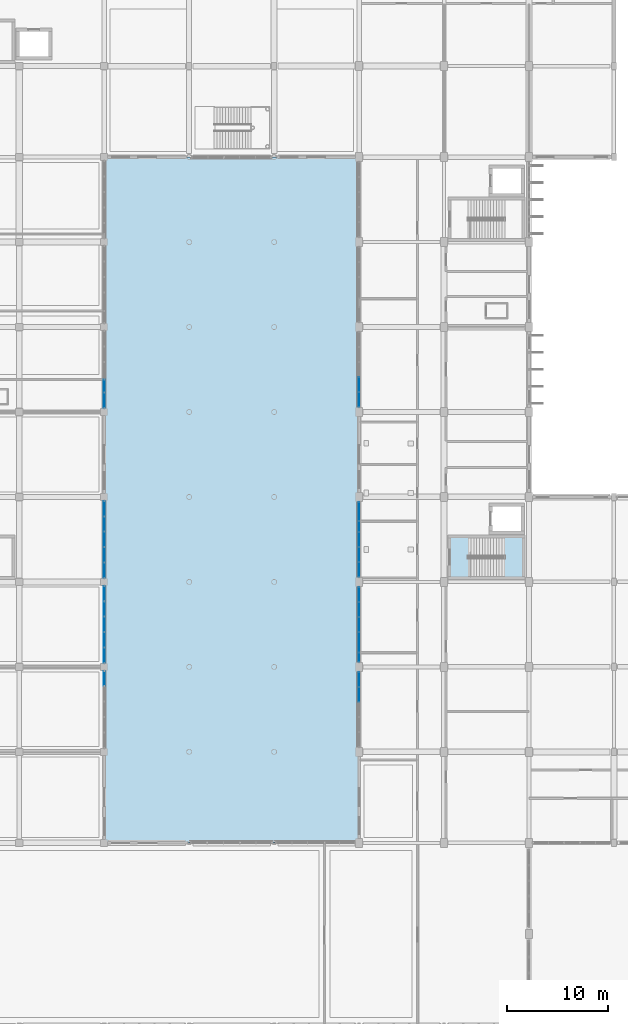
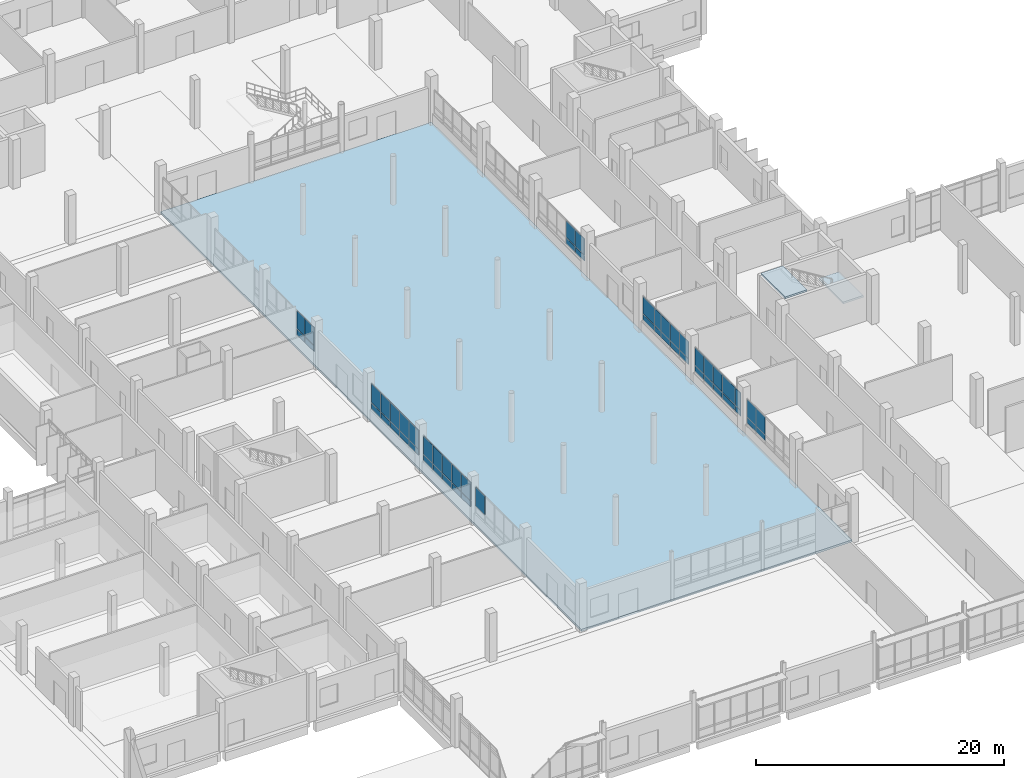
# One storey, part 66 of 95: 53 plates, 3 slabs, 9 elements without a shape of their own.
"""IFC4 building model written with IfcOpenShell, lengths in metres."""

import ifcopenshell
import ifcopenshell.guid

model = None  # the IFC model being written
_history = None  # IfcOwnerHistory: only IFC2X3 demands one
_inside = {}  # id of a spatial element -> (the spatial element, [elements in it])
_under = {}  # id of a project, library or spatial element -> (it, [spatial elements below it])
_declared = {}  # id of a project -> (the project, [libraries it declares])
_typed = {}  # id of a type object -> (the type object, [elements of that type])
_made_of = {}  # id of a material, layer set ... -> (it, [elements and type objects made of it])


def new_model(schema):
    """Start an empty IFC model of exactly this schema.

    Asked for "IFC4X3", IfcOpenShell would pick the latest addendum, in which some entities
    have other attributes; the version numbers below select the first issue.
    IFC2X3 requires an IfcOwnerHistory on every rooted entity: one is made here for all.
    """
    global model, _history
    if schema == "IFC4X3":
        model = ifcopenshell.file(schema_version=(4, 3, 0, 0))
    else:
        model = ifcopenshell.file(schema=schema)
    _inside.clear()
    _under.clear()
    _declared.clear()
    _typed.clear()
    _made_of.clear()
    _history = None
    if model.schema == "IFC2X3":
        org = make("IfcOrganization", Name="unknown")
        user = make(
            "IfcPersonAndOrganization",
            ThePerson=make("IfcPerson", FamilyName="unknown"),
            TheOrganization=org,
        )
        app = make(
            "IfcApplication",
            ApplicationDeveloper=org,
            Version="unknown",
            ApplicationFullName="unknown",
            ApplicationIdentifier="unknown",
        )
        _history = make(
            "IfcOwnerHistory",
            OwningUser=user,
            OwningApplication=app,
            ChangeAction="ADDED",
            CreationDate=0,
        )
    return model


def make(cls, **values):
    """One entity of the class cls with the attributes given. An attribute that is None is left unset."""
    return model.create_entity(
        cls, **{name: value for name, value in values.items() if value is not None}
    )


def rooted(cls, **values):
    """An entity with a GlobalId (a new one), such as an element, a storey or a relation."""
    return make(cls, GlobalId=ifcopenshell.guid.new(), OwnerHistory=_history, **values)


def si_unit(unit_type, name, prefix=None):
    """IfcSIUnit, for example si_unit("LENGTHUNIT", "METRE", prefix="MILLI")."""
    return make("IfcSIUnit", UnitType=unit_type, Prefix=prefix, Name=name)


def assignment(units):
    """IfcUnitAssignment: the units of a project."""
    return None if units is None else make("IfcUnitAssignment", Units=units)


def point(xyz):
    """IfcCartesianPoint."""
    return None if xyz is None else make("IfcCartesianPoint", Coordinates=xyz)


def direction(xyz):
    """IfcDirection."""
    return None if xyz is None else make("IfcDirection", DirectionRatios=xyz)


def frame(location, z_axis=None, x_axis=None):
    """IfcAxis2Placement3D, a coordinate frame: its origin and axes. An axis left out is left unset."""
    return make(
        "IfcAxis2Placement3D",
        Location=point(location),
        Axis=direction(z_axis),
        RefDirection=direction(x_axis),
    )


def frame_2d(location, x_axis=None):
    """IfcAxis2Placement2D, a coordinate frame in the plane: its origin and x axis."""
    return make(
        "IfcAxis2Placement2D", Location=point(location), RefDirection=direction(x_axis)
    )


def origin():
    """The frame at (0, 0, 0) with its axes left unset."""
    return frame((0.0, 0.0, 0.0))


def origin_2d():
    """The frame at (0, 0) in the plane with its x axis left unset."""
    return frame_2d((0.0, 0.0))


def place(relative_to, where):
    """IfcLocalPlacement: puts the frame where relative to a parent placement (None: the world)."""
    return make(
        "IfcLocalPlacement", PlacementRelTo=relative_to, RelativePlacement=where
    )


def context(
    kind, dimensions, precision=None, world=None, true_north=None, identifier=None
):
    """IfcGeometricRepresentationContext, for example the 3D "Model" context."""
    return make(
        "IfcGeometricRepresentationContext",
        ContextIdentifier=identifier,
        ContextType=kind,
        CoordinateSpaceDimension=dimensions,
        Precision=precision,
        WorldCoordinateSystem=world,
        TrueNorth=true_north,
    )


def subcontext(parent, identifier, kind, view, scale=None):
    """IfcGeometricRepresentationSubContext, for example "Body" below "Model"."""
    return make(
        "IfcGeometricRepresentationSubContext",
        ContextIdentifier=identifier,
        ContextType=kind,
        ParentContext=parent,
        TargetScale=scale,
        TargetView=view,
    )


def project(units=None, contexts=None):
    """IfcProject with its units and contexts."""
    return rooted(
        "IfcProject",
        Name="project",
        RepresentationContexts=contexts,
        UnitsInContext=assignment(units),
    )


def spatial(cls, under=None, at=None, **own):
    """A site, building, storey or space (cls), placed at a placement, below another one or the project."""
    s = rooted(cls, ObjectPlacement=at, **own)
    if under is not None:
        _under.setdefault(under.id(), (under, []))[1].append(s)
    return s


def polyline(points):
    """IfcPolyline through the points."""
    return make("IfcPolyline", Points=[point(p) for p in points])


def profile(cls, at=None, kind="AREA", **sizes):
    """A parametric profile (cls). Its sizes go by their IFC names, for example OverallWidth=200.0."""
    return make(cls, ProfileType=kind, Position=at, **sizes)


def rectangle(**sizes):
    """IfcRectangleProfileDef."""
    return profile("IfcRectangleProfileDef", **sizes)


def outline(outer, holes=None, kind="AREA"):
    """IfcArbitraryClosedProfileDef: a profile drawn as a closed curve; with holes, ...WithVoids."""
    if holes is None:
        return make("IfcArbitraryClosedProfileDef", ProfileType=kind, OuterCurve=outer)
    return make(
        "IfcArbitraryProfileDefWithVoids",
        ProfileType=kind,
        OuterCurve=outer,
        InnerCurves=holes,
    )


def extrude(swept, where, along, depth):
    """IfcExtrudedAreaSolid: the profile swept, set in the frame where, extruded along a direction by depth."""
    return make(
        "IfcExtrudedAreaSolid",
        SweptArea=swept,
        Position=where,
        ExtrudedDirection=direction(along),
        Depth=depth,
    )


def shape(context_of_items, identifier, shape_type, items):
    """IfcShapeRepresentation: the items that make up one representation, for example the "Body"."""
    return make(
        "IfcShapeRepresentation",
        ContextOfItems=context_of_items,
        RepresentationIdentifier=identifier,
        RepresentationType=shape_type,
        Items=items,
    )


def material(Name=None, Category=None):
    """IfcMaterial."""
    return make("IfcMaterial", Name=Name, Category=Category)


def layer(
    of_material, thickness, ventilated=None, Name=None, Category=None, Priority=None
):
    """IfcMaterialLayer: one layer of a wall or slab, of a material (None: an air gap)."""
    return make(
        "IfcMaterialLayer",
        Material=of_material,
        LayerThickness=thickness,
        IsVentilated=ventilated,
        Name=Name,
        Category=Category,
        Priority=Priority,
    )


def layer_set(layers, Name=None):
    """IfcMaterialLayerSet."""
    return make("IfcMaterialLayerSet", MaterialLayers=layers, LayerSetName=Name)


def made_of(thing, what):
    """Note that an element or type object is made of a material, layer set ...; save() writes the relation."""
    if what is not None:
        _made_of.setdefault(what.id(), (what, []))[1].append(thing)
    return thing


def type_object(cls, material=None, **own):
    """A type object (cls), such as IfcWallType, which elements share."""
    return made_of(rooted(cls, **own), material)


def element(
    cls,
    number,
    at=None,
    inside=None,
    cuts=None,
    type_object=None,
    material=None,
    context=None,
    identifier="Body",
    shape_type=None,
    held_by="IfcProductDefinitionShape",
    body=None,
    shapes=None,
    **own,
):
    """One element of the class cls, such as IfcWall. Its Tag is "e" and its number.

    at: its placement. inside: the storey or other place that contains it. cuts: it is an
    opening in that element (IfcRelVoidsElement). A single representation is given by context,
    identifier, shape_type and body (its items); several are given by shapes. held_by: the class
    of the entity that holds the representations. save() writes the other relations.
    """
    e = rooted(cls, Tag="e%d" % number, ObjectPlacement=at, **own)
    if body is not None:
        shapes = [shape(context, identifier, shape_type, body)]
    if shapes is not None:
        e.Representation = make(held_by, Representations=shapes)
    if inside is not None:
        _inside.setdefault(inside.id(), (inside, []))[1].append(e)
    if cuts is not None:
        rooted(
            "IfcRelVoidsElement", RelatingBuildingElement=cuts, RelatedOpeningElement=e
        )
    if type_object is not None:
        _typed.setdefault(type_object.id(), (type_object, []))[1].append(e)
    return made_of(e, material)


def aggregate(whole, parts):
    """IfcRelAggregates: a whole, such as a stair, and the parts it consists of."""
    return rooted("IfcRelAggregates", RelatingObject=whole, RelatedObjects=parts)


def save(model, path):
    """Write the relations noted so far, then the file.

    IfcRelAggregates (storeys below a building ...), IfcRelContainedInSpatialStructure (elements
    in a storey), IfcRelDefinesByType, IfcRelAssociatesMaterial and IfcRelDeclares: one each for
    every whole, place, type object, material and project.
    """
    for whole, parts in _under.values():
        aggregate(whole, parts)
    for where, things in _inside.values():
        rooted(
            "IfcRelContainedInSpatialStructure",
            RelatedElements=things,
            RelatingStructure=where,
        )
    for kind, things in _typed.values():
        rooted("IfcRelDefinesByType", RelatedObjects=things, RelatingType=kind)
    for what, things in _made_of.values():
        rooted("IfcRelAssociatesMaterial", RelatedObjects=things, RelatingMaterial=what)
    for by, libraries in _declared.values():
        rooted("IfcRelDeclares", RelatingContext=by, RelatedDefinitions=libraries)
    model.write(path)


model = new_model("IFC4")

# Units and contexts
model_context = context("Model", 3, precision=1e-05, world=origin(), true_north=direction((0.0, 1.0)))
body_context = subcontext(model_context, "Body", "Model", "MODEL_VIEW")
ifc_project = project(units=[si_unit("LENGTHUNIT", "METRE"), si_unit("AREAUNIT", "SQUARE_METRE"), si_unit("VOLUMEUNIT", "CUBIC_METRE"), si_unit("PLANEANGLEUNIT", "RADIAN"), si_unit("MASSUNIT", "GRAM", prefix="KILO")], contexts=[model_context])

# Site, building, storey
site_placement = place(None, origin())
site = spatial("IfcSite", under=ifc_project, at=site_placement, CompositionType="ELEMENT")
building_placement = place(site_placement, origin())
building = spatial("IfcBuilding", under=site, at=building_placement, Name="Vireocrest Preparatory School", CompositionType="ELEMENT")
storey_placement = place(building_placement, origin())
storey = spatial("IfcBuildingStorey", under=building, at=storey_placement, Name="L00", CompositionType="ELEMENT", Elevation=0.0)

# Slab
ifc_material_1 = material(Name="Concrete 40 MPa", Category="concrete")
ifc_layer_1 = layer(ifc_material_1, 0.199951171875)
ifc_layer_set_1 = layer_set([ifc_layer_1], Name="Concrete 40 MPa")
slab_type_1 = type_object("IfcSlabType", Name="Outdoor Courtyard Permeable Concrete Paving Slab 200", PredefinedType="BASESLAB", material=ifc_layer_set_1)
slab_1_placement = place(storey_placement, frame((0.0, 0.0, -0.199951171875)))
element("IfcSlab", 1, at=slab_1_placement, inside=storey, type_object=slab_type_1, Name="Slab L00_CENTRAL_COURT", PredefinedType="BASESLAB", context=body_context, shape_type="SweptSolid", body=[
    extrude(outline(polyline([(67.199951171875, 18.0), (92.39990234375, 18.0), (92.39990234375, 85.800048828125), (67.199951171875, 85.800048828125), (67.199951171875, 18.0)])), origin(), (0.0, 0.0, 1.0), 0.199951171875),
])

# Stair, slabs
stair_type = type_object("IfcStairType", Name="Feature Commons Stair 4800 Rise 1800 Wide", PredefinedType="HALF_TURN_STAIR", material=ifc_material_1)
stair_placement = place(storey_placement, origin())
stair = element("IfcStair", 2, at=stair_placement, inside=storey, type_object=stair_type, Name="Two-Run Stair ST2-L00", PredefinedType="HALF_TURN_STAIR")
ifc_layer_2 = layer(ifc_material_1, 0.179931640625)
ifc_layer_set_2 = layer_set([ifc_layer_2], Name="Concrete 40 MPa")
slab_type_2 = type_object("IfcSlabType", Name="Precast Concrete Stair Landing Slab 180", PredefinedType="LANDING", material=ifc_layer_set_2)
slab_2_placement = place(storey_placement, frame((0.0, 0.0, 2.219970703125)))
slab_2 = element("IfcSlab", 3, at=slab_2_placement, type_object=slab_type_2, Name="Stair Half-Landing ST2-L00", PredefinedType="LANDING", context=body_context, shape_type="SweptSolid", body=[
    extrude(outline(polyline([(106.760009765625, 44.31005859375), (108.64501953125, 44.31005859375), (108.64501953125, 48.18994140625), (106.760009765625, 48.18994140625), (106.760009765625, 44.31005859375)])), origin(), (0.0, 0.0, 1.0), 0.179931640625),
])
slab_3_placement = place(storey_placement, frame((0.0, 0.0, 4.6201171875)))
slab_3 = element("IfcSlab", 4, at=slab_3_placement, type_object=slab_type_2, Name="Stair Arrival Landing ST2-L00", PredefinedType="LANDING", context=body_context, shape_type="SweptSolid", body=[
    extrude(outline(polyline([(101.35498046875, 44.31005859375), (103.409912109375, 44.31005859375), (103.409912109375, 48.18994140625), (101.35498046875, 48.18994140625), (101.35498046875, 44.31005859375)])), origin(), (0.0, 0.0, 1.0), 0.179931640625),
])
aggregate(stair, [slab_2, slab_3])

# Curtain wall, plate
ifc_material_2 = material(Name="Thermally broken aluminium EN AW-6063-T6", Category="aluminium")
ifc_layer_3 = layer(ifc_material_2, 0.179931640625)
ifc_layer_set_3 = layer_set([ifc_layer_3], Name="Thermally broken aluminium EN AW-6063-T6")
curtain_wall_type = type_object("IfcCurtainWallType", Name="Court Banded Curtain Wall 8400x3600", PredefinedType="USERDEFINED", material=ifc_layer_set_3)
curtain_wall_1_placement = place(storey_placement, origin())
curtain_wall_1 = element("IfcCurtainWall", 5, at=curtain_wall_1_placement, inside=storey, type_object=curtain_wall_type, Name="Curtain Wall CW01 CW_L00_CW01_0672_0273_012", ObjectType="CURTAIN WALL", PredefinedType="USERDEFINED")
ifc_material_3 = material(Name="Insulated triple low-e tempered safety glass", Category="glass")
ifc_layer_4 = layer(ifc_material_3, 0.06005859375)
ifc_layer_set_4 = layer_set([ifc_layer_4], Name="Insulated triple low-e tempered safety glass")
plate_type = type_object("IfcPlateType", Name="Triple-Glazed Vision Curtain Panel 60", PredefinedType="CURTAIN_PANEL", material=ifc_layer_set_4)
plate_1_placement = place(storey_placement, frame((67.199951171875, 34.251953125, 1.88232421875), z_axis=(0.0, 0.0, 1.0), x_axis=(0.0, 1.0, 0.0)))
plate_1 = element("IfcPlate", 6, at=plate_1_placement, type_object=plate_type, Name="CW Panel GL1 CW_L00_CW01_0672_0273_012-5-2", PredefinedType="CURTAIN_PANEL", context=body_context, shape_type="SweptSolid", body=[
    extrude(rectangle(XDim=1.4609375, YDim=0.06005859375, at=origin_2d()), origin(), (0.0, 0.0, 1.0), 1.820068359375),
])
aggregate(curtain_wall_1, [plate_1])

# Curtain wall, plates
curtain_wall_2_placement = place(storey_placement, origin())
curtain_wall_2 = element("IfcCurtainWall", 7, at=curtain_wall_2_placement, inside=storey, type_object=curtain_wall_type, Name="Curtain Wall CW01 CW_L00_CW01_0672_0357_012", ObjectType="CURTAIN WALL", PredefinedType="USERDEFINED")
plate_2_placement = place(storey_placement, frame((67.199951171875, 36.548095703125, 1.277587890625), z_axis=(0.0, 0.0, 1.0), x_axis=(0.0, 1.0, 0.0)))
plate_2 = element("IfcPlate", 8, at=plate_2_placement, type_object=plate_type, Name="CW Panel GL1 CW_L00_CW01_0672_0357_012-1-1", PredefinedType="CURTAIN_PANEL", context=body_context, shape_type="SweptSolid", body=[
    extrude(rectangle(XDim=1.4609375, YDim=0.06005859375, at=origin_2d()), origin(), (0.0, 0.0, 1.0), 0.5400390625),
])
plate_3_placement = place(storey_placement, frame((67.199951171875, 36.548095703125, 1.882568359375), z_axis=(0.0, 0.0, 1.0), x_axis=(0.0, 1.0, 0.0)))
plate_3 = element("IfcPlate", 9, at=plate_3_placement, type_object=plate_type, Name="CW Panel GL1 CW_L00_CW01_0672_0357_012-1-2", PredefinedType="CURTAIN_PANEL", context=body_context, shape_type="SweptSolid", body=[
    extrude(rectangle(XDim=1.4609375, YDim=0.06005859375, at=origin_2d()), origin(), (0.0, 0.0, 1.0), 1.77001953125),
])
plate_4_placement = place(storey_placement, frame((67.199951171875, 38.073974609375, 1.277587890625), z_axis=(0.0, 0.0, 1.0), x_axis=(0.0, 1.0, 0.0)))
plate_4 = element("IfcPlate", 10, at=plate_4_placement, type_object=plate_type, Name="CW Panel GL1 CW_L00_CW01_0672_0357_012-2-1", PredefinedType="CURTAIN_PANEL", context=body_context, shape_type="SweptSolid", body=[
    extrude(rectangle(XDim=1.4609375, YDim=0.06005859375, at=origin_2d()), origin(), (0.0, 0.0, 1.0), 0.5400390625),
])
plate_5_placement = place(storey_placement, frame((67.199951171875, 38.073974609375, 1.882568359375), z_axis=(0.0, 0.0, 1.0), x_axis=(0.0, 1.0, 0.0)))
plate_5 = element("IfcPlate", 11, at=plate_5_placement, type_object=plate_type, Name="CW Panel GL1 CW_L00_CW01_0672_0357_012-2-2", PredefinedType="CURTAIN_PANEL", context=body_context, shape_type="SweptSolid", body=[
    extrude(rectangle(XDim=1.4609375, YDim=0.06005859375, at=origin_2d()), origin(), (0.0, 0.0, 1.0), 1.77001953125),
])
plate_6_placement = place(storey_placement, frame((67.199951171875, 39.60009765625, 1.277587890625), z_axis=(0.0, 0.0, 1.0), x_axis=(0.0, 1.0, 0.0)))
plate_6 = element("IfcPlate", 12, at=plate_6_placement, type_object=plate_type, Name="CW Panel GL1 CW_L00_CW01_0672_0357_012-3-1", PredefinedType="CURTAIN_PANEL", context=body_context, shape_type="SweptSolid", body=[
    extrude(rectangle(XDim=1.4609375, YDim=0.06005859375, at=origin_2d()), origin(), (0.0, 0.0, 1.0), 0.5400390625),
])
plate_7_placement = place(storey_placement, frame((67.199951171875, 39.60009765625, 1.882568359375), z_axis=(0.0, 0.0, 1.0), x_axis=(0.0, 1.0, 0.0)))
plate_7 = element("IfcPlate", 13, at=plate_7_placement, type_object=plate_type, Name="CW Panel GL1 CW_L00_CW01_0672_0357_012-3-2", PredefinedType="CURTAIN_PANEL", context=body_context, shape_type="SweptSolid", body=[
    extrude(rectangle(XDim=1.4609375, YDim=0.06005859375, at=origin_2d()), origin(), (0.0, 0.0, 1.0), 1.77001953125),
])
plate_8_placement = place(storey_placement, frame((67.199951171875, 41.1259765625, 1.277587890625), z_axis=(0.0, 0.0, 1.0), x_axis=(0.0, 1.0, 0.0)))
plate_8 = element("IfcPlate", 14, at=plate_8_placement, type_object=plate_type, Name="CW Panel GL1 CW_L00_CW01_0672_0357_012-4-1", PredefinedType="CURTAIN_PANEL", context=body_context, shape_type="SweptSolid", body=[
    extrude(rectangle(XDim=1.4609375, YDim=0.06005859375, at=origin_2d()), origin(), (0.0, 0.0, 1.0), 0.5400390625),
])
plate_9_placement = place(storey_placement, frame((67.199951171875, 41.1259765625, 1.882568359375), z_axis=(0.0, 0.0, 1.0), x_axis=(0.0, 1.0, 0.0)))
plate_9 = element("IfcPlate", 15, at=plate_9_placement, type_object=plate_type, Name="CW Panel GL1 CW_L00_CW01_0672_0357_012-4-2", PredefinedType="CURTAIN_PANEL", context=body_context, shape_type="SweptSolid", body=[
    extrude(rectangle(XDim=1.4609375, YDim=0.06005859375, at=origin_2d()), origin(), (0.0, 0.0, 1.0), 1.77001953125),
])
plate_10_placement = place(storey_placement, frame((67.199951171875, 42.652099609375, 1.277587890625), z_axis=(0.0, 0.0, 1.0), x_axis=(0.0, 1.0, 0.0)))
plate_10 = element("IfcPlate", 16, at=plate_10_placement, type_object=plate_type, Name="CW Panel GL1 CW_L00_CW01_0672_0357_012-5-1", PredefinedType="CURTAIN_PANEL", context=body_context, shape_type="SweptSolid", body=[
    extrude(rectangle(XDim=1.4609375, YDim=0.06005859375, at=origin_2d()), origin(), (0.0, 0.0, 1.0), 0.5400390625),
])
plate_11_placement = place(storey_placement, frame((67.199951171875, 42.652099609375, 1.882568359375), z_axis=(0.0, 0.0, 1.0), x_axis=(0.0, 1.0, 0.0)))
plate_11 = element("IfcPlate", 17, at=plate_11_placement, type_object=plate_type, Name="CW Panel GL1 CW_L00_CW01_0672_0357_012-5-2", PredefinedType="CURTAIN_PANEL", context=body_context, shape_type="SweptSolid", body=[
    extrude(rectangle(XDim=1.4609375, YDim=0.06005859375, at=origin_2d()), origin(), (0.0, 0.0, 1.0), 1.77001953125),
])
aggregate(curtain_wall_2, [plate_2, plate_3, plate_4, plate_5, plate_6, plate_7, plate_8, plate_9, plate_10, plate_11])

curtain_wall_3_placement = place(storey_placement, origin())
curtain_wall_3 = element("IfcCurtainWall", 18, at=curtain_wall_3_placement, inside=storey, type_object=curtain_wall_type, Name="Curtain Wall CW01 CW_L00_CW01_0672_0441_012", ObjectType="CURTAIN WALL", PredefinedType="USERDEFINED")
plate_12_placement = place(storey_placement, frame((67.199951171875, 44.947998046875, 1.277587890625), z_axis=(0.0, 0.0, 1.0), x_axis=(0.0, 1.0, 0.0)))
plate_12 = element("IfcPlate", 19, at=plate_12_placement, type_object=plate_type, Name="CW Panel GL1 CW_L00_CW01_0672_0441_012-1-1", PredefinedType="CURTAIN_PANEL", context=body_context, shape_type="SweptSolid", body=[
    extrude(rectangle(XDim=1.4609375, YDim=0.06005859375, at=origin_2d()), origin(), (0.0, 0.0, 1.0), 0.5400390625),
])
plate_13_placement = place(storey_placement, frame((67.199951171875, 44.947998046875, 1.88232421875), z_axis=(0.0, 0.0, 1.0), x_axis=(0.0, 1.0, 0.0)))
plate_13 = element("IfcPlate", 20, at=plate_13_placement, type_object=plate_type, Name="CW Panel GL1 CW_L00_CW01_0672_0441_012-1-2", PredefinedType="CURTAIN_PANEL", context=body_context, shape_type="SweptSolid", body=[
    extrude(rectangle(XDim=1.4609375, YDim=0.06005859375, at=origin_2d()), origin(), (0.0, 0.0, 1.0), 1.820068359375),
])
plate_14_placement = place(storey_placement, frame((67.199951171875, 46.47412109375, 1.277587890625), z_axis=(0.0, 0.0, 1.0), x_axis=(0.0, 1.0, 0.0)))
plate_14 = element("IfcPlate", 21, at=plate_14_placement, type_object=plate_type, Name="CW Panel GL1 CW_L00_CW01_0672_0441_012-2-1", PredefinedType="CURTAIN_PANEL", context=body_context, shape_type="SweptSolid", body=[
    extrude(rectangle(XDim=1.4609375, YDim=0.06005859375, at=origin_2d()), origin(), (0.0, 0.0, 1.0), 0.5400390625),
])
plate_15_placement = place(storey_placement, frame((67.199951171875, 46.47412109375, 1.88232421875), z_axis=(0.0, 0.0, 1.0), x_axis=(0.0, 1.0, 0.0)))
plate_15 = element("IfcPlate", 22, at=plate_15_placement, type_object=plate_type, Name="CW Panel GL1 CW_L00_CW01_0672_0441_012-2-2", PredefinedType="CURTAIN_PANEL", context=body_context, shape_type="SweptSolid", body=[
    extrude(rectangle(XDim=1.4609375, YDim=0.06005859375, at=origin_2d()), origin(), (0.0, 0.0, 1.0), 1.820068359375),
])
plate_16_placement = place(storey_placement, frame((67.199951171875, 48.0, 1.277587890625), z_axis=(0.0, 0.0, 1.0), x_axis=(0.0, 1.0, 0.0)))
plate_16 = element("IfcPlate", 23, at=plate_16_placement, type_object=plate_type, Name="CW Panel GL1 CW_L00_CW01_0672_0441_012-3-1", PredefinedType="CURTAIN_PANEL", context=body_context, shape_type="SweptSolid", body=[
    extrude(rectangle(XDim=1.4609375, YDim=0.06005859375, at=origin_2d()), origin(), (0.0, 0.0, 1.0), 0.5400390625),
])
plate_17_placement = place(storey_placement, frame((67.199951171875, 48.0, 1.88232421875), z_axis=(0.0, 0.0, 1.0), x_axis=(0.0, 1.0, 0.0)))
plate_17 = element("IfcPlate", 24, at=plate_17_placement, type_object=plate_type, Name="CW Panel GL1 CW_L00_CW01_0672_0441_012-3-2", PredefinedType="CURTAIN_PANEL", context=body_context, shape_type="SweptSolid", body=[
    extrude(rectangle(XDim=1.4609375, YDim=0.06005859375, at=origin_2d()), origin(), (0.0, 0.0, 1.0), 1.820068359375),
])
plate_18_placement = place(storey_placement, frame((67.199951171875, 49.52587890625, 1.277587890625), z_axis=(0.0, 0.0, 1.0), x_axis=(0.0, 1.0, 0.0)))
plate_18 = element("IfcPlate", 25, at=plate_18_placement, type_object=plate_type, Name="CW Panel GL1 CW_L00_CW01_0672_0441_012-4-1", PredefinedType="CURTAIN_PANEL", context=body_context, shape_type="SweptSolid", body=[
    extrude(rectangle(XDim=1.4609375, YDim=0.06005859375, at=origin_2d()), origin(), (0.0, 0.0, 1.0), 0.5400390625),
])
plate_19_placement = place(storey_placement, frame((67.199951171875, 49.52587890625, 1.88232421875), z_axis=(0.0, 0.0, 1.0), x_axis=(0.0, 1.0, 0.0)))
plate_19 = element("IfcPlate", 26, at=plate_19_placement, type_object=plate_type, Name="CW Panel GL1 CW_L00_CW01_0672_0441_012-4-2", PredefinedType="CURTAIN_PANEL", context=body_context, shape_type="SweptSolid", body=[
    extrude(rectangle(XDim=1.4609375, YDim=0.06005859375, at=origin_2d()), origin(), (0.0, 0.0, 1.0), 1.820068359375),
])
plate_20_placement = place(storey_placement, frame((67.199951171875, 51.052001953125, 1.277587890625), z_axis=(0.0, 0.0, 1.0), x_axis=(0.0, 1.0, 0.0)))
plate_20 = element("IfcPlate", 27, at=plate_20_placement, type_object=plate_type, Name="CW Panel GL1 CW_L00_CW01_0672_0441_012-5-1", PredefinedType="CURTAIN_PANEL", context=body_context, shape_type="SweptSolid", body=[
    extrude(rectangle(XDim=1.4609375, YDim=0.06005859375, at=origin_2d()), origin(), (0.0, 0.0, 1.0), 0.5400390625),
])
plate_21_placement = place(storey_placement, frame((67.199951171875, 51.052001953125, 1.88232421875), z_axis=(0.0, 0.0, 1.0), x_axis=(0.0, 1.0, 0.0)))
plate_21 = element("IfcPlate", 28, at=plate_21_placement, type_object=plate_type, Name="CW Panel GL1 CW_L00_CW01_0672_0441_012-5-2", PredefinedType="CURTAIN_PANEL", context=body_context, shape_type="SweptSolid", body=[
    extrude(rectangle(XDim=1.4609375, YDim=0.06005859375, at=origin_2d()), origin(), (0.0, 0.0, 1.0), 1.820068359375),
])
aggregate(curtain_wall_3, [plate_12, plate_13, plate_14, plate_15, plate_16, plate_17, plate_18, plate_19, plate_20, plate_21])

curtain_wall_4_placement = place(storey_placement, origin())
curtain_wall_4 = element("IfcCurtainWall", 29, at=curtain_wall_4_placement, inside=storey, type_object=curtain_wall_type, Name="Curtain Wall CW01 CW_L00_CW01_0672_0609_012", ObjectType="CURTAIN WALL", PredefinedType="USERDEFINED")
plate_22_placement = place(storey_placement, frame((67.199951171875, 61.748046875, 1.277587890625), z_axis=(0.0, 0.0, 1.0), x_axis=(0.0, 1.0, 0.0)))
plate_22 = element("IfcPlate", 30, at=plate_22_placement, type_object=plate_type, Name="CW Panel GL1 CW_L00_CW01_0672_0609_012-1-1", PredefinedType="CURTAIN_PANEL", context=body_context, shape_type="SweptSolid", body=[
    extrude(rectangle(XDim=1.4609375, YDim=0.06005859375, at=origin_2d()), origin(), (0.0, 0.0, 1.0), 0.5400390625),
])
plate_23_placement = place(storey_placement, frame((67.199951171875, 61.748046875, 1.88232421875), z_axis=(0.0, 0.0, 1.0), x_axis=(0.0, 1.0, 0.0)))
plate_23 = element("IfcPlate", 31, at=plate_23_placement, type_object=plate_type, Name="CW Panel GL1 CW_L00_CW01_0672_0609_012-1-2", PredefinedType="CURTAIN_PANEL", context=body_context, shape_type="SweptSolid", body=[
    extrude(rectangle(XDim=1.4609375, YDim=0.06005859375, at=origin_2d()), origin(), (0.0, 0.0, 1.0), 1.719970703125),
])
plate_24_placement = place(storey_placement, frame((67.199951171875, 63.155517578125, 1.277587890625), z_axis=(0.0, 0.0, 1.0), x_axis=(0.0, 1.0, 0.0)))
plate_24 = element("IfcPlate", 32, at=plate_24_placement, type_object=plate_type, Name="CW Panel GL1 CW_L00_CW01_0672_0609_012-2-1", PredefinedType="CURTAIN_PANEL", context=body_context, shape_type="SweptSolid", body=[
    extrude(rectangle(XDim=1.22412109375, YDim=0.06005859375, at=origin_2d()), origin(), (0.0, 0.0, 1.0), 0.5400390625),
])
plate_25_placement = place(storey_placement, frame((67.199951171875, 63.155517578125, 1.88232421875), z_axis=(0.0, 0.0, 1.0), x_axis=(0.0, 1.0, 0.0)))
plate_25 = element("IfcPlate", 33, at=plate_25_placement, type_object=plate_type, Name="CW Panel GL1 CW_L00_CW01_0672_0609_012-2-2", PredefinedType="CURTAIN_PANEL", context=body_context, shape_type="SweptSolid", body=[
    extrude(rectangle(XDim=1.22412109375, YDim=0.06005859375, at=origin_2d()), origin(), (0.0, 0.0, 1.0), 1.719970703125),
])
aggregate(curtain_wall_4, [plate_22, plate_23, plate_24, plate_25])

curtain_wall_5_placement = place(storey_placement, origin())
curtain_wall_5 = element("IfcCurtainWall", 34, at=curtain_wall_5_placement, inside=storey, type_object=curtain_wall_type, Name="Curtain Wall CW01 CW_L00_CW01_0924_0274_012", ObjectType="CURTAIN WALL", PredefinedType="USERDEFINED")
plate_26_placement = place(storey_placement, frame((92.39990234375, 32.68603515625, 1.277587890625), z_axis=(0.0, 0.0, 1.0), x_axis=(0.0, 1.0, 0.0)))
plate_26 = element("IfcPlate", 35, at=plate_26_placement, type_object=plate_type, Name="CW Panel GL1 CW_L00_CW01_0924_0274_012-4-1", PredefinedType="CURTAIN_PANEL", context=body_context, shape_type="SweptSolid", body=[
    extrude(rectangle(XDim=1.4208984375, YDim=0.06005859375, at=origin_2d()), origin(), (0.0, 0.0, 1.0), 0.5400390625),
])
plate_27_placement = place(storey_placement, frame((92.39990234375, 32.68603515625, 1.88232421875), z_axis=(0.0, 0.0, 1.0), x_axis=(0.0, 1.0, 0.0)))
plate_27 = element("IfcPlate", 36, at=plate_27_placement, type_object=plate_type, Name="CW Panel GL1 CW_L00_CW01_0924_0274_012-4-2", PredefinedType="CURTAIN_PANEL", context=body_context, shape_type="SweptSolid", body=[
    extrude(rectangle(XDim=1.4208984375, YDim=0.06005859375, at=origin_2d()), origin(), (0.0, 0.0, 1.0), 1.699951171875),
])
plate_28_placement = place(storey_placement, frame((92.39990234375, 34.172119140625, 1.277587890625), z_axis=(0.0, 0.0, 1.0), x_axis=(0.0, 1.0, 0.0)))
plate_28 = element("IfcPlate", 37, at=plate_28_placement, type_object=plate_type, Name="CW Panel GL1 CW_L00_CW01_0924_0274_012-5-1", PredefinedType="CURTAIN_PANEL", context=body_context, shape_type="SweptSolid", body=[
    extrude(rectangle(XDim=1.4208984375, YDim=0.06005859375, at=origin_2d()), origin(), (0.0, 0.0, 1.0), 0.5400390625),
])
plate_29_placement = place(storey_placement, frame((92.39990234375, 34.172119140625, 1.88232421875), z_axis=(0.0, 0.0, 1.0), x_axis=(0.0, 1.0, 0.0)))
plate_29 = element("IfcPlate", 38, at=plate_29_placement, type_object=plate_type, Name="CW Panel GL1 CW_L00_CW01_0924_0274_012-5-2", PredefinedType="CURTAIN_PANEL", context=body_context, shape_type="SweptSolid", body=[
    extrude(rectangle(XDim=1.4208984375, YDim=0.06005859375, at=origin_2d()), origin(), (0.0, 0.0, 1.0), 1.699951171875),
])
aggregate(curtain_wall_5, [plate_26, plate_27, plate_28, plate_29])

curtain_wall_6_placement = place(storey_placement, origin())
curtain_wall_6 = element("IfcCurtainWall", 39, at=curtain_wall_6_placement, inside=storey, type_object=curtain_wall_type, Name="Curtain Wall CW01 CW_L00_CW01_0924_0358_012", ObjectType="CURTAIN WALL", PredefinedType="USERDEFINED")
plate_30_placement = place(storey_placement, frame((92.39990234375, 36.342529296875, 1.277587890625), z_axis=(0.0, 0.0, 1.0), x_axis=(0.0, 1.0, 0.0)))
plate_30 = element("IfcPlate", 40, at=plate_30_placement, type_object=plate_type, Name="CW Panel GL1 CW_L00_CW01_0924_0358_012-1-1", PredefinedType="CURTAIN_PANEL", context=body_context, shape_type="SweptSolid", body=[
    extrude(rectangle(XDim=0.85009765625, YDim=0.06005859375, at=origin_2d()), origin(), (0.0, 0.0, 1.0), 0.5400390625),
])
plate_31_placement = place(storey_placement, frame((92.39990234375, 36.342529296875, 1.88232421875), z_axis=(0.0, 0.0, 1.0), x_axis=(0.0, 1.0, 0.0)))
plate_31 = element("IfcPlate", 41, at=plate_31_placement, type_object=plate_type, Name="CW Panel GL1 CW_L00_CW01_0924_0358_012-1-2", PredefinedType="CURTAIN_PANEL", context=body_context, shape_type="SweptSolid", body=[
    extrude(rectangle(XDim=0.85009765625, YDim=0.06005859375, at=origin_2d()), origin(), (0.0, 0.0, 1.0), 1.699951171875),
])
plate_32_placement = place(storey_placement, frame((92.39990234375, 37.82861328125, 1.277587890625), z_axis=(0.0, 0.0, 1.0), x_axis=(0.0, 1.0, 0.0)))
plate_32 = element("IfcPlate", 42, at=plate_32_placement, type_object=plate_type, Name="CW Panel GL1 CW_L00_CW01_0924_0358_012-2-1", PredefinedType="CURTAIN_PANEL", context=body_context, shape_type="SweptSolid", body=[
    extrude(rectangle(XDim=1.991943359375, YDim=0.06005859375, at=origin_2d()), origin(), (0.0, 0.0, 1.0), 0.5400390625),
])
plate_33_placement = place(storey_placement, frame((92.39990234375, 37.82861328125, 1.88232421875), z_axis=(0.0, 0.0, 1.0), x_axis=(0.0, 1.0, 0.0)))
plate_33 = element("IfcPlate", 43, at=plate_33_placement, type_object=plate_type, Name="CW Panel GL1 CW_L00_CW01_0924_0358_012-2-2", PredefinedType="CURTAIN_PANEL", context=body_context, shape_type="SweptSolid", body=[
    extrude(rectangle(XDim=1.991943359375, YDim=0.06005859375, at=origin_2d()), origin(), (0.0, 0.0, 1.0), 1.699951171875),
])
plate_34_placement = place(storey_placement, frame((92.39990234375, 39.60009765625, 1.277587890625), z_axis=(0.0, 0.0, 1.0), x_axis=(0.0, 1.0, 0.0)))
plate_34 = element("IfcPlate", 44, at=plate_34_placement, type_object=plate_type, Name="CW Panel GL1 CW_L00_CW01_0924_0358_012-3-1", PredefinedType="CURTAIN_PANEL", context=body_context, shape_type="SweptSolid", body=[
    extrude(rectangle(XDim=1.4208984375, YDim=0.06005859375, at=origin_2d()), origin(), (0.0, 0.0, 1.0), 0.5400390625),
])
plate_35_placement = place(storey_placement, frame((92.39990234375, 39.60009765625, 1.88232421875), z_axis=(0.0, 0.0, 1.0), x_axis=(0.0, 1.0, 0.0)))
plate_35 = element("IfcPlate", 45, at=plate_35_placement, type_object=plate_type, Name="CW Panel GL1 CW_L00_CW01_0924_0358_012-3-2", PredefinedType="CURTAIN_PANEL", context=body_context, shape_type="SweptSolid", body=[
    extrude(rectangle(XDim=1.4208984375, YDim=0.06005859375, at=origin_2d()), origin(), (0.0, 0.0, 1.0), 1.699951171875),
])
plate_36_placement = place(storey_placement, frame((92.39990234375, 41.0859375, 1.277587890625), z_axis=(0.0, 0.0, 1.0), x_axis=(0.0, 1.0, 0.0)))
plate_36 = element("IfcPlate", 46, at=plate_36_placement, type_object=plate_type, Name="CW Panel GL1 CW_L00_CW01_0924_0358_012-4-1", PredefinedType="CURTAIN_PANEL", context=body_context, shape_type="SweptSolid", body=[
    extrude(rectangle(XDim=1.4208984375, YDim=0.06005859375, at=origin_2d()), origin(), (0.0, 0.0, 1.0), 0.5400390625),
])
plate_37_placement = place(storey_placement, frame((92.39990234375, 41.0859375, 1.88232421875), z_axis=(0.0, 0.0, 1.0), x_axis=(0.0, 1.0, 0.0)))
plate_37 = element("IfcPlate", 47, at=plate_37_placement, type_object=plate_type, Name="CW Panel GL1 CW_L00_CW01_0924_0358_012-4-2", PredefinedType="CURTAIN_PANEL", context=body_context, shape_type="SweptSolid", body=[
    extrude(rectangle(XDim=1.4208984375, YDim=0.06005859375, at=origin_2d()), origin(), (0.0, 0.0, 1.0), 1.699951171875),
])
plate_38_placement = place(storey_placement, frame((92.39990234375, 42.572021484375, 1.277587890625), z_axis=(0.0, 0.0, 1.0), x_axis=(0.0, 1.0, 0.0)))
plate_38 = element("IfcPlate", 48, at=plate_38_placement, type_object=plate_type, Name="CW Panel GL1 CW_L00_CW01_0924_0358_012-5-1", PredefinedType="CURTAIN_PANEL", context=body_context, shape_type="SweptSolid", body=[
    extrude(rectangle(XDim=1.4208984375, YDim=0.06005859375, at=origin_2d()), origin(), (0.0, 0.0, 1.0), 0.5400390625),
])
plate_39_placement = place(storey_placement, frame((92.39990234375, 42.572021484375, 1.88232421875), z_axis=(0.0, 0.0, 1.0), x_axis=(0.0, 1.0, 0.0)))
plate_39 = element("IfcPlate", 49, at=plate_39_placement, type_object=plate_type, Name="CW Panel GL1 CW_L00_CW01_0924_0358_012-5-2", PredefinedType="CURTAIN_PANEL", context=body_context, shape_type="SweptSolid", body=[
    extrude(rectangle(XDim=1.4208984375, YDim=0.06005859375, at=origin_2d()), origin(), (0.0, 0.0, 1.0), 1.699951171875),
])
aggregate(curtain_wall_6, [plate_30, plate_31, plate_32, plate_33, plate_34, plate_35, plate_36, plate_37, plate_38, plate_39])

curtain_wall_7_placement = place(storey_placement, origin())
curtain_wall_7 = element("IfcCurtainWall", 50, at=curtain_wall_7_placement, inside=storey, type_object=curtain_wall_type, Name="Curtain Wall CW01 CW_L00_CW01_0924_0442_012", ObjectType="CURTAIN WALL", PredefinedType="USERDEFINED")
plate_40_placement = place(storey_placement, frame((92.39990234375, 45.028076171875, 1.277587890625), z_axis=(0.0, 0.0, 1.0), x_axis=(0.0, 1.0, 0.0)))
plate_40 = element("IfcPlate", 51, at=plate_40_placement, type_object=plate_type, Name="CW Panel GL1 CW_L00_CW01_0924_0442_012-1-1", PredefinedType="CURTAIN_PANEL", context=body_context, shape_type="SweptSolid", body=[
    extrude(rectangle(XDim=1.4208984375, YDim=0.06005859375, at=origin_2d()), origin(), (0.0, 0.0, 1.0), 0.5400390625),
])
plate_41_placement = place(storey_placement, frame((92.39990234375, 45.028076171875, 1.882568359375), z_axis=(0.0, 0.0, 1.0), x_axis=(0.0, 1.0, 0.0)))
plate_41 = element("IfcPlate", 52, at=plate_41_placement, type_object=plate_type, Name="CW Panel GL1 CW_L00_CW01_0924_0442_012-1-2", PredefinedType="CURTAIN_PANEL", context=body_context, shape_type="SweptSolid", body=[
    extrude(rectangle(XDim=1.4208984375, YDim=0.06005859375, at=origin_2d()), origin(), (0.0, 0.0, 1.0), 1.64990234375),
])
plate_42_placement = place(storey_placement, frame((92.39990234375, 46.513916015625, 1.277587890625), z_axis=(0.0, 0.0, 1.0), x_axis=(0.0, 1.0, 0.0)))
plate_42 = element("IfcPlate", 53, at=plate_42_placement, type_object=plate_type, Name="CW Panel GL1 CW_L00_CW01_0924_0442_012-2-1", PredefinedType="CURTAIN_PANEL", context=body_context, shape_type="SweptSolid", body=[
    extrude(rectangle(XDim=1.4208984375, YDim=0.06005859375, at=origin_2d()), origin(), (0.0, 0.0, 1.0), 0.5400390625),
])
plate_43_placement = place(storey_placement, frame((92.39990234375, 46.513916015625, 1.882568359375), z_axis=(0.0, 0.0, 1.0), x_axis=(0.0, 1.0, 0.0)))
plate_43 = element("IfcPlate", 54, at=plate_43_placement, type_object=plate_type, Name="CW Panel GL1 CW_L00_CW01_0924_0442_012-2-2", PredefinedType="CURTAIN_PANEL", context=body_context, shape_type="SweptSolid", body=[
    extrude(rectangle(XDim=1.4208984375, YDim=0.06005859375, at=origin_2d()), origin(), (0.0, 0.0, 1.0), 1.64990234375),
])
plate_44_placement = place(storey_placement, frame((92.39990234375, 48.0, 1.277587890625), z_axis=(0.0, 0.0, 1.0), x_axis=(0.0, 1.0, 0.0)))
plate_44 = element("IfcPlate", 55, at=plate_44_placement, type_object=plate_type, Name="CW Panel GL1 CW_L00_CW01_0924_0442_012-3-1", PredefinedType="CURTAIN_PANEL", context=body_context, shape_type="SweptSolid", body=[
    extrude(rectangle(XDim=1.4208984375, YDim=0.06005859375, at=origin_2d()), origin(), (0.0, 0.0, 1.0), 0.5400390625),
])
plate_45_placement = place(storey_placement, frame((92.39990234375, 48.0, 1.882568359375), z_axis=(0.0, 0.0, 1.0), x_axis=(0.0, 1.0, 0.0)))
plate_45 = element("IfcPlate", 56, at=plate_45_placement, type_object=plate_type, Name="CW Panel GL1 CW_L00_CW01_0924_0442_012-3-2", PredefinedType="CURTAIN_PANEL", context=body_context, shape_type="SweptSolid", body=[
    extrude(rectangle(XDim=1.4208984375, YDim=0.06005859375, at=origin_2d()), origin(), (0.0, 0.0, 1.0), 1.64990234375),
])
plate_46_placement = place(storey_placement, frame((92.39990234375, 49.271484375, 1.277587890625), z_axis=(0.0, 0.0, 1.0), x_axis=(0.0, 1.0, 0.0)))
plate_46 = element("IfcPlate", 57, at=plate_46_placement, type_object=plate_type, Name="CW Panel GL1 CW_L00_CW01_0924_0442_012-4-1", PredefinedType="CURTAIN_PANEL", context=body_context, shape_type="SweptSolid", body=[
    extrude(rectangle(XDim=0.991943359375, YDim=0.06005859375, at=origin_2d()), origin(), (0.0, 0.0, 1.0), 0.5400390625),
])
plate_47_placement = place(storey_placement, frame((92.39990234375, 49.271484375, 1.882568359375), z_axis=(0.0, 0.0, 1.0), x_axis=(0.0, 1.0, 0.0)))
plate_47 = element("IfcPlate", 58, at=plate_47_placement, type_object=plate_type, Name="CW Panel GL1 CW_L00_CW01_0924_0442_012-4-2", PredefinedType="CURTAIN_PANEL", context=body_context, shape_type="SweptSolid", body=[
    extrude(rectangle(XDim=0.991943359375, YDim=0.06005859375, at=origin_2d()), origin(), (0.0, 0.0, 1.0), 1.64990234375),
])
plate_48_placement = place(storey_placement, frame((92.39990234375, 50.757568359375, 1.277587890625), z_axis=(0.0, 0.0, 1.0), x_axis=(0.0, 1.0, 0.0)))
plate_48 = element("IfcPlate", 59, at=plate_48_placement, type_object=plate_type, Name="CW Panel GL1 CW_L00_CW01_0924_0442_012-5-1", PredefinedType="CURTAIN_PANEL", context=body_context, shape_type="SweptSolid", body=[
    extrude(rectangle(XDim=1.85009765625, YDim=0.06005859375, at=origin_2d()), origin(), (0.0, 0.0, 1.0), 0.5400390625),
])
plate_49_placement = place(storey_placement, frame((92.39990234375, 50.757568359375, 1.882568359375), z_axis=(0.0, 0.0, 1.0), x_axis=(0.0, 1.0, 0.0)))
plate_49 = element("IfcPlate", 60, at=plate_49_placement, type_object=plate_type, Name="CW Panel GL1 CW_L00_CW01_0924_0442_012-5-2", PredefinedType="CURTAIN_PANEL", context=body_context, shape_type="SweptSolid", body=[
    extrude(rectangle(XDim=1.85009765625, YDim=0.06005859375, at=origin_2d()), origin(), (0.0, 0.0, 1.0), 1.64990234375),
])
aggregate(curtain_wall_7, [plate_40, plate_41, plate_42, plate_43, plate_44, plate_45, plate_46, plate_47, plate_48, plate_49])

curtain_wall_8_placement = place(storey_placement, origin())
curtain_wall_8 = element("IfcCurtainWall", 61, at=curtain_wall_8_placement, inside=storey, type_object=curtain_wall_type, Name="Curtain Wall CW01 CW_L00_CW01_0924_0610_012", ObjectType="CURTAIN WALL", PredefinedType="USERDEFINED")
plate_50_placement = place(storey_placement, frame((92.39990234375, 61.827880859375, 1.277587890625), z_axis=(0.0, 0.0, 1.0), x_axis=(0.0, 1.0, 0.0)))
plate_50 = element("IfcPlate", 62, at=plate_50_placement, type_object=plate_type, Name="CW Panel GL1 CW_L00_CW01_0924_0610_012-1-1", PredefinedType="CURTAIN_PANEL", context=body_context, shape_type="SweptSolid", body=[
    extrude(rectangle(XDim=1.4208984375, YDim=0.06005859375, at=origin_2d()), origin(), (0.0, 0.0, 1.0), 0.5400390625),
])
plate_51_placement = place(storey_placement, frame((92.39990234375, 61.827880859375, 1.882568359375), z_axis=(0.0, 0.0, 1.0), x_axis=(0.0, 1.0, 0.0)))
plate_51 = element("IfcPlate", 63, at=plate_51_placement, type_object=plate_type, Name="CW Panel GL1 CW_L00_CW01_0924_0610_012-1-2", PredefinedType="CURTAIN_PANEL", context=body_context, shape_type="SweptSolid", body=[
    extrude(rectangle(XDim=1.4208984375, YDim=0.06005859375, at=origin_2d()), origin(), (0.0, 0.0, 1.0), 1.60009765625),
])
plate_52_placement = place(storey_placement, frame((92.39990234375, 63.31396484375, 1.277587890625), z_axis=(0.0, 0.0, 1.0), x_axis=(0.0, 1.0, 0.0)))
plate_52 = element("IfcPlate", 64, at=plate_52_placement, type_object=plate_type, Name="CW Panel GL1 CW_L00_CW01_0924_0610_012-2-1", PredefinedType="CURTAIN_PANEL", context=body_context, shape_type="SweptSolid", body=[
    extrude(rectangle(XDim=1.4208984375, YDim=0.06005859375, at=origin_2d()), origin(), (0.0, 0.0, 1.0), 0.5400390625),
])
plate_53_placement = place(storey_placement, frame((92.39990234375, 63.31396484375, 1.882568359375), z_axis=(0.0, 0.0, 1.0), x_axis=(0.0, 1.0, 0.0)))
plate_53 = element("IfcPlate", 65, at=plate_53_placement, type_object=plate_type, Name="CW Panel GL1 CW_L00_CW01_0924_0610_012-2-2", PredefinedType="CURTAIN_PANEL", context=body_context, shape_type="SweptSolid", body=[
    extrude(rectangle(XDim=1.4208984375, YDim=0.06005859375, at=origin_2d()), origin(), (0.0, 0.0, 1.0), 1.60009765625),
])
aggregate(curtain_wall_8, [plate_50, plate_51, plate_52, plate_53])

save(model, "model.ifc")
